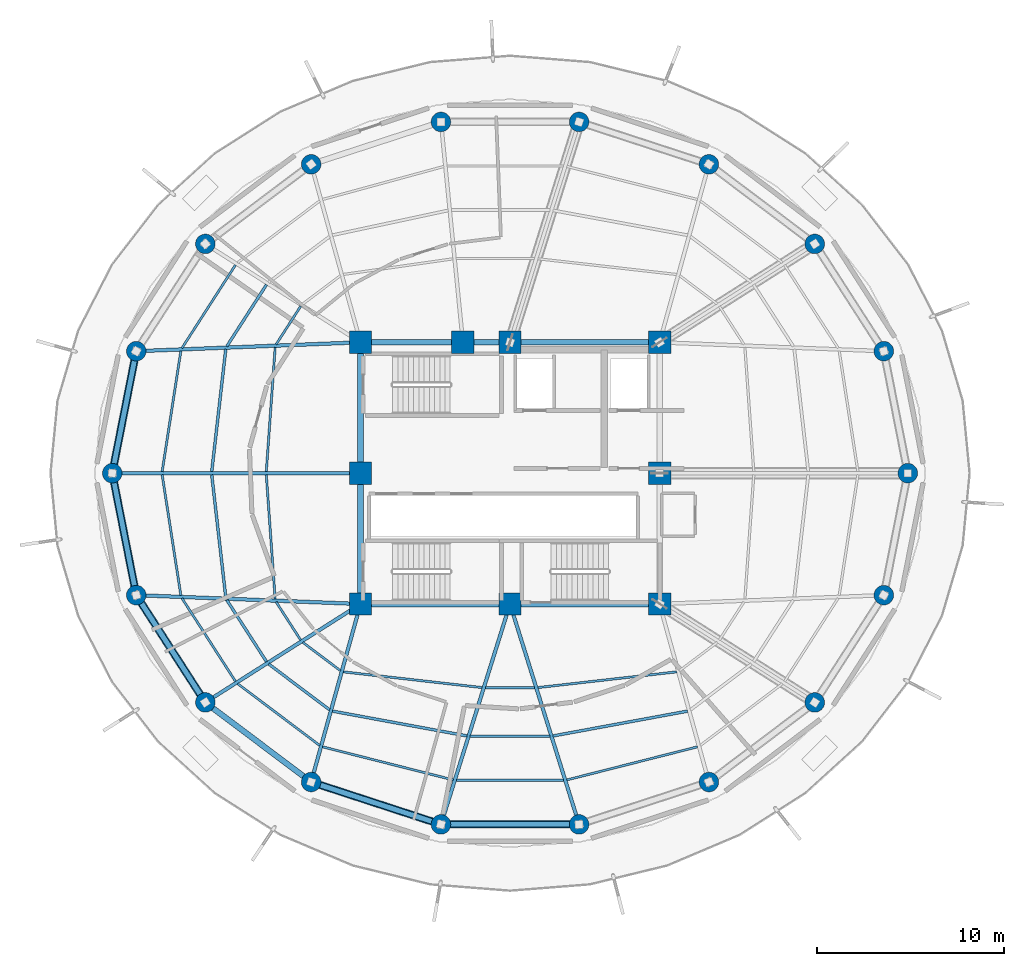
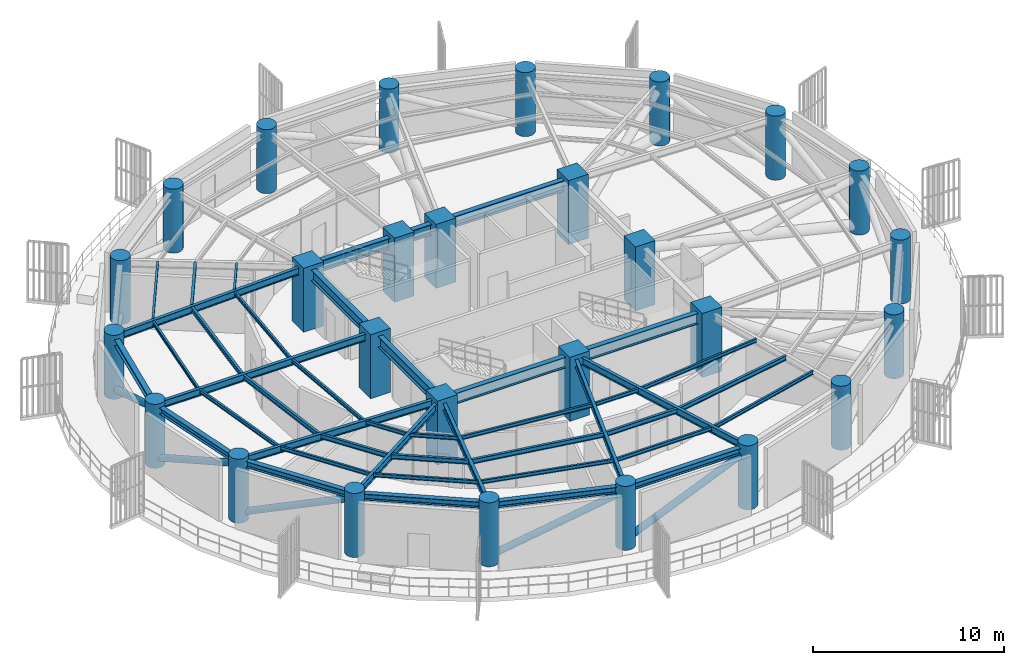
# One storey, part 1 of 10: 44 beams, 27 columns, 5 members.
"""IFC4 building model written with IfcOpenShell, lengths in metres."""

from ifc_helpers import new_model, si_unit, direction, frame, origin, origin_2d, place, context, subcontext, project, spatial, rectangle, circle, hollow_circle, i_section, extrude, material, material_profile, profile_set, type_object, element, save


model = new_model("IFC4")

# Units and contexts
model_context = context("Model", 3, precision=1e-05, world=origin(), true_north=direction((0.0, 1.0)))
body_context = subcontext(model_context, "Body", "Model", "MODEL_VIEW")
ifc_project = project(units=[si_unit("LENGTHUNIT", "METRE"), si_unit("AREAUNIT", "SQUARE_METRE"), si_unit("VOLUMEUNIT", "CUBIC_METRE"), si_unit("PLANEANGLEUNIT", "RADIAN"), si_unit("MASSUNIT", "GRAM", prefix="KILO")], contexts=[model_context])

# Site, building, storey
site_placement = place(None, origin())
site = spatial("IfcSite", under=ifc_project, at=site_placement, CompositionType="ELEMENT")
building_placement = place(site_placement, origin())
building = spatial("IfcBuilding", under=site, at=building_placement, Name="Kelanora Arch Commons", CompositionType="ELEMENT")
storey_placement = place(building_placement, frame((0.0, 0.0, 189.110107421875)))
storey = spatial("IfcBuildingStorey", under=building, at=storey_placement, Name="L48", CompositionType="ELEMENT", Elevation=189.110107421875)

# Columns
ifc_material_1 = material(Name="Concrete C50/60", Category="concrete")
ifc_material_profile_1 = material_profile(ifc_material_1, circle(Radius=0.52490234375, at=origin_2d()), Name="RCC1050")
ifc_profile_set_1 = profile_set([ifc_material_profile_1], Name="Concrete C50/60")
column_type_1 = type_object("IfcColumnType", Name="COL-PERIM-Z4", PredefinedType="COLUMN", material=ifc_profile_set_1)
for number, where, z_axis, x_axis, name in (
    (1, (95.280029296875, 58.0, 0.0), (0.0, 0.0, 1.0), (1.0, 0.0, 0.0), "Perimeter Ring Column CP-00 L48"),
    (2, (93.99658203125, 64.525634765625, 0.0), (0.0, 0.0, 1.0), (1.0, 0.0, 0.0), "Perimeter Ring Column CP-02 L48"),
    (3, (90.301513671875, 70.264404296875, 0.0), (0.0, 0.0, 1.0), (1.0, 0.0, 0.0), "Perimeter Ring Column CP-04 L48"),
    (4, (84.639892578125, 74.523681640625, 0.0), (0.0, 0.0, 1.0), (1.0, 0.0, 0.0), "Perimeter Ring Column CP-06 L48"),
    (5, (77.6953125, 76.7900390625, 0.0), (0.0, 0.0, 1.0), (1.0, 0.0, 0.0), "Perimeter Ring Column CP-08 L48"),
    (6, (70.3046875, 76.7900390625, 0.0), (0.0, 0.0, 1.0), (1.0, 0.0, 0.0), "Perimeter Ring Column CP-10 L48"),
    (7, (63.360107421875, 74.523681640625, 0.0), (0.0, 0.0, 1.0), (1.0, 0.0, 0.0), "Perimeter Ring Column CP-12 L48"),
    (8, (57.698486328125, 70.264404296875, 0.0), (0.0, 0.0, 1.0), (1.0, 0.0, 0.0), "Perimeter Ring Column CP-14 L48"),
    (9, (54.00341796875, 64.525634765625, 0.0), (0.0, 0.0, 1.0), (1.0, 0.0, 0.0), "Perimeter Ring Column CP-16 L48"),
    (10, (52.719970703125, 58.0, 0.0), (0.0, 0.0, 1.0), (1.0, 0.0, 0.0), "Perimeter Ring Column CP-18 L48"),
    (11, (54.00341796875, 51.474365234375, 0.0), (0.0, 0.0, 1.0), (1.0, 0.0, 0.0), "Perimeter Ring Column CP-20 L48"),
    (12, (57.698486328125, 45.735595703125, 0.0), (0.0, 0.0, 1.0), (1.0, 0.0, 0.0), "Perimeter Ring Column CP-22 L48"),
    (13, (63.360107421875, 41.476318359375, 0.0), (0.0, 0.0, 1.0), (1.0, 0.0, 0.0), "Perimeter Ring Column CP-24 L48"),
    (14, (70.3046875, 39.2099609375, 0.0), (0.0, 0.0, 1.0), (1.0, 0.0, 0.0), "Perimeter Ring Column CP-26 L48"),
    (15, (77.6953125, 39.2099609375, 0.0), (0.0, 0.0, 1.0), (1.0, 0.0, 0.0), "Perimeter Ring Column CP-28 L48"),
    (16, (84.639892578125, 41.476318359375, 0.0), (0.0, 0.0, 1.0), (1.0, 0.0, 0.0), "Perimeter Ring Column CP-30 L48"),
    (17, (90.301513671875, 45.735595703125, 0.0), (0.0, 0.0, 1.0), (1.0, 0.0, 0.0), "Perimeter Ring Column CP-32 L48"),
    (18, (93.99658203125, 51.474365234375, 0.0), (0.0, 0.0, 1.0), (1.0, 0.0, 0.0), "Perimeter Ring Column CP-34 L48"),
):
    element("IfcColumn", number, at=place(storey_placement, frame(where, z_axis=z_axis, x_axis=x_axis)), inside=storey, type_object=column_type_1, Name=name, PredefinedType="COLUMN", context=body_context, shape_type="SweptSolid", body=[
        extrude(circle(Radius=0.52490234375, at=origin_2d()), origin(), (0.0, 0.0, 1.0), 4.08984375),
    ])
ifc_material_2 = material(Name="Concrete C60/75", Category="concrete")
ifc_material_profile_2 = material_profile(ifc_material_2, rectangle(XDim=1.199951171875, YDim=1.199951171875, at=origin_2d()), Name="RC1200x1200")
ifc_profile_set_2 = profile_set([ifc_material_profile_2], Name="Concrete C60/75")
column_type_2 = type_object("IfcColumnType", Name="COL-PIL-MID", PredefinedType="PILASTER", material=ifc_profile_set_2)
for number, where, z_axis, x_axis, name in (
    (19, (66.0, 51.0, 0.0), (0.0, 0.0, 1.0), (1.0, 0.0, 0.0), "Core Pilaster Column CP1 L48"),
    (20, (74.0, 51.0, 0.0), (0.0, 0.0, 1.0), (1.0, 0.0, 0.0), "Core Pilaster Column CP2 L48"),
    (21, (82.0, 51.0, 0.0), (0.0, 0.0, 1.0), (1.0, 0.0, 0.0), "Core Pilaster Column CP3 L48"),
    (22, (82.0, 58.0, 0.0), (0.0, 0.0, 1.0), (1.0, 0.0, 0.0), "Core Pilaster Column CP4 L48"),
    (23, (82.0, 65.0, 0.0), (0.0, 0.0, 1.0), (1.0, 0.0, 0.0), "Core Pilaster Column CP5 L48"),
    (24, (74.0, 65.0, 0.0), (0.0, 0.0, 1.0), (1.0, 0.0, 0.0), "Core Pilaster Column CP6 L48"),
    (25, (71.47998046875, 65.0, 0.0), (0.0, 0.0, 1.0), (1.0, 0.0, 0.0), "Core Pilaster Column CP9 L48"),
    (26, (66.0, 65.0, 0.0), (0.0, 0.0, 1.0), (1.0, 0.0, 0.0), "Core Pilaster Column CP7 L48"),
    (27, (66.0, 58.0, 0.0), (0.0, 0.0, 1.0), (1.0, 0.0, 0.0), "Core Pilaster Column CP8 L48"),
):
    element("IfcColumn", number, at=place(storey_placement, frame(where, z_axis=z_axis, x_axis=x_axis)), inside=storey, type_object=column_type_2, Name=name, PredefinedType="PILASTER", context=body_context, shape_type="SweptSolid", body=[
        extrude(rectangle(XDim=1.199951171875, YDim=1.199951171875, at=origin_2d()), origin(), (0.0, 0.0, 1.0), 4.08984375),
    ])

# Beams
ifc_material_3 = material(Name="Steel S355", Category="steel")
ifc_material_profile_3 = material_profile(ifc_material_3, i_section(OverallWidth=0.300048828125, OverallDepth=0.699951171875, WebThickness=0.01708984375, FlangeThickness=0.031982421875, FilletRadius=0.027099609375, at=origin_2d()), Name="HEB700")
ifc_profile_set_3 = profile_set([ifc_material_profile_3], Name="Steel S355")
beam_type_1 = type_object("IfcBeamType", Name="BM-CORE-HDR", PredefinedType="BEAM", material=ifc_profile_set_3)
for number, where, z_axis, x_axis, name in (
    (28, (66.0, 51.0, 3.47998046875), (1.0, 0.0, 0.0), (0.0, 1.0, 0.0), "Core Header Beam 01 L48"),
    (29, (74.0, 51.0, 3.47998046875), (1.0, 0.0, 0.0), (0.0, 1.0, 0.0), "Core Header Beam 02 L48"),
    (30, (82.0, 65.0, 3.47998046875), (-1.0, 0.0, 0.0), (0.0, -1.0, 0.0), "Core Header Beam 05 L48"),
):
    element("IfcBeam", number, at=place(storey_placement, frame(where, z_axis=z_axis, x_axis=x_axis)), inside=storey, type_object=beam_type_1, Name=name, PredefinedType="BEAM", context=body_context, shape_type="SweptSolid", body=[
        extrude(i_section(OverallWidth=0.300048828125, OverallDepth=0.699951171875, WebThickness=0.01708984375, FlangeThickness=0.031982421875, FilletRadius=0.027099609375, at=origin_2d()), origin(), (0.0, 0.0, 1.0), 8.0),
    ])
beam_1_placement = place(storey_placement, frame((74.0, 65.0, 3.47998046875), z_axis=(-1.0, 0.0, 0.0), x_axis=(0.0, -1.0, 0.0)))
element("IfcBeam", 31, at=beam_1_placement, inside=storey, type_object=beam_type_1, Name="Core Header Beam 06 L48", PredefinedType="BEAM", context=body_context, shape_type="SweptSolid", body=[
    extrude(i_section(OverallWidth=0.300048828125, OverallDepth=0.699951171875, WebThickness=0.01708984375, FlangeThickness=0.031982421875, FilletRadius=0.027099609375, at=origin_2d()), origin(), (0.0, 0.0, 1.0), 2.52001953125),
])
beam_2_placement = place(storey_placement, frame((71.47998046875, 65.0, 3.47998046875), z_axis=(-1.0, 0.0, 0.0), x_axis=(0.0, -1.0, 0.0)))
element("IfcBeam", 32, at=beam_2_placement, inside=storey, type_object=beam_type_1, Name="Core Header Beam 07 L48", PredefinedType="BEAM", context=body_context, shape_type="SweptSolid", body=[
    extrude(i_section(OverallWidth=0.300048828125, OverallDepth=0.699951171875, WebThickness=0.01708984375, FlangeThickness=0.031982421875, FilletRadius=0.027099609375, at=origin_2d()), origin(), (0.0, 0.0, 1.0), 5.47998046875),
])
for number, where, z_axis, x_axis, name in (
    (33, (66.0, 65.0, 3.47998046875), (0.0, -1.0, 0.0), (1.0, 0.0, 0.0), "Core Header Beam 08 L48"),
    (34, (66.0, 58.0, 3.47998046875), (0.0, -1.0, 0.0), (1.0, 0.0, 0.0), "Core Header Beam 09 L48"),
):
    element("IfcBeam", number, at=place(storey_placement, frame(where, z_axis=z_axis, x_axis=x_axis)), inside=storey, type_object=beam_type_1, Name=name, PredefinedType="BEAM", context=body_context, shape_type="SweptSolid", body=[
        extrude(i_section(OverallWidth=0.300048828125, OverallDepth=0.699951171875, WebThickness=0.01708984375, FlangeThickness=0.031982421875, FilletRadius=0.027099609375, at=origin_2d()), origin(), (0.0, 0.0, 1.0), 7.0),
    ])
ifc_material_profile_4 = material_profile(ifc_material_3, i_section(OverallWidth=0.14990234375, OverallDepth=0.300048828125, WebThickness=0.007080078125, FlangeThickness=0.0107421875, FilletRadius=0.014892578125, at=origin_2d()), Name="IPE300")
ifc_profile_set_4 = profile_set([ifc_material_profile_4], Name="Steel S355")
beam_type_2 = type_object("IfcBeamType", Name="BM-JST-01", PredefinedType="JOIST", material=ifc_profile_set_4)
beam_3_placement = place(storey_placement, frame((60.97314453125, 68.087158203125, 3.679931640625), z_axis=(-0.541411265892, -0.840757896879, 0.0), x_axis=(0.840757896879, -0.541411265892, 0.0)))
element("IfcBeam", 35, at=beam_3_placement, inside=storey, type_object=beam_type_2, Name="Secondary Chord Joist BJB-14 L48", PredefinedType="JOIST", context=body_context, shape_type="SweptSolid", body=[
    extrude(i_section(OverallWidth=0.14990234375, OverallDepth=0.300048828125, WebThickness=0.007080078125, FlangeThickness=0.0107421875, FilletRadius=0.014892578125, at=origin_2d()), origin(), (0.0, 0.0, 1.0), 3.92529296875),
])
for number, where, z_axis, x_axis, name in (
    (36, (58.792236328125, 64.631103515625, 3.679931640625), (-0.113891408177, -0.993493204377, 0.0), (0.993493204377, -0.113891408177, 0.0), "Secondary Chord Joist BJB-16 L48"),
    (37, (58.041748046875, 57.91552734375, 3.679931640625), (0.113891408177, -0.993493204377, 0.0), (0.993493204377, 0.113891408177, 0.0), "Secondary Chord Joist BJB-18 L48"),
):
    element("IfcBeam", number, at=place(storey_placement, frame(where, z_axis=z_axis, x_axis=x_axis)), inside=storey, type_object=beam_type_2, Name=name, PredefinedType="JOIST", context=body_context, shape_type="SweptSolid", body=[
        extrude(i_section(OverallWidth=0.14990234375, OverallDepth=0.300048828125, WebThickness=0.007080078125, FlangeThickness=0.0107421875, FilletRadius=0.014892578125, at=origin_2d()), origin(), (0.0, 0.0, 1.0), 6.589599609375),
    ])
beam_4_placement = place(storey_placement, frame((58.847900390625, 51.213134765625, 3.679931640625), z_axis=(0.541411265892, -0.840757896879, 0.0), x_axis=(0.840757896879, 0.541411265892, 0.0)))
element("IfcBeam", 38, at=beam_4_placement, inside=storey, type_object=beam_type_2, Name="Secondary Chord Joist BJB-20 L48", PredefinedType="JOIST", context=body_context, shape_type="SweptSolid", body=[
    extrude(i_section(OverallWidth=0.14990234375, OverallDepth=0.300048828125, WebThickness=0.007080078125, FlangeThickness=0.0107421875, FilletRadius=0.014892578125, at=origin_2d()), origin(), (0.0, 0.0, 1.0), 3.92529296875),
])
beam_5_placement = place(storey_placement, frame((61.087158203125, 47.790283203125, 3.679931640625), z_axis=(0.799101708656, -0.601195857624, 0.0), x_axis=(0.601195857624, 0.799101708656, 0.0)))
element("IfcBeam", 39, at=beam_5_placement, inside=storey, type_object=beam_type_2, Name="Secondary Chord Joist BJB-22 L48", PredefinedType="JOIST", context=body_context, shape_type="SweptSolid", body=[
    extrude(i_section(OverallWidth=0.14990234375, OverallDepth=0.300048828125, WebThickness=0.007080078125, FlangeThickness=0.0107421875, FilletRadius=0.014892578125, at=origin_2d()), origin(), (0.0, 0.0, 1.0), 4.080810546875),
])
beam_6_placement = place(storey_placement, frame((64.49951171875, 45.270263671875, 3.679931640625), z_axis=(0.983389964671, -0.181505309519, 0.0), x_axis=(0.181505309519, 0.983389964671, 0.0)))
element("IfcBeam", 40, at=beam_6_placement, inside=storey, type_object=beam_type_2, Name="Secondary Chord Joist BJB-24 L48", PredefinedType="JOIST", context=body_context, shape_type="SweptSolid", body=[
    extrude(i_section(OverallWidth=0.14990234375, OverallDepth=0.300048828125, WebThickness=0.007080078125, FlangeThickness=0.0107421875, FilletRadius=0.014892578125, at=origin_2d()), origin(), (0.0, 0.0, 1.0), 7.3212890625),
])
beam_7_placement = place(storey_placement, frame((71.867919921875, 43.92578125, 3.679931640625), z_axis=(1.0, 0.0, 0.0), x_axis=(0.0, 1.0, 0.0)))
element("IfcBeam", 41, at=beam_7_placement, inside=storey, type_object=beam_type_2, Name="Secondary Chord Joist BJB-26 L48", PredefinedType="JOIST", context=body_context, shape_type="SweptSolid", body=[
    extrude(i_section(OverallWidth=0.14990234375, OverallDepth=0.300048828125, WebThickness=0.007080078125, FlangeThickness=0.0107421875, FilletRadius=0.014892578125, at=origin_2d()), origin(), (0.0, 0.0, 1.0), 4.26416015625),
])
beam_8_placement = place(storey_placement, frame((76.30078125, 43.94140625, 3.679931640625), z_axis=(0.983389964671, 0.181505309519, 0.0), x_axis=(-0.181505309519, 0.983389964671, 0.0)))
element("IfcBeam", 42, at=beam_8_placement, inside=storey, type_object=beam_type_2, Name="Secondary Chord Joist BJB-28 L48", PredefinedType="JOIST", context=body_context, shape_type="SweptSolid", body=[
    extrude(i_section(OverallWidth=0.14990234375, OverallDepth=0.300048828125, WebThickness=0.007080078125, FlangeThickness=0.0107421875, FilletRadius=0.014892578125, at=origin_2d()), origin(), (0.0, 0.0, 1.0), 7.3212890625),
])
ifc_material_profile_5 = material_profile(ifc_material_3, i_section(OverallWidth=0.1201171875, OverallDepth=0.239990234375, WebThickness=0.006103515625, FlangeThickness=0.009765625, FilletRadius=0.014892578125, at=origin_2d()), Name="IPE240")
ifc_profile_set_5 = profile_set([ifc_material_profile_5], Name="Steel S355")
beam_type_3 = type_object("IfcBeamType", Name="BM-JST-02", PredefinedType="JOIST", material=ifc_profile_set_5)
beam_9_placement = place(storey_placement, frame((62.79931640625, 66.928955078125, 3.7099609375), z_axis=(-0.541332763503, -0.840808443796, 0.0), x_axis=(0.840808443796, -0.541332763503, 0.0)))
element("IfcBeam", 43, at=beam_9_placement, inside=storey, type_object=beam_type_3, Name="Secondary Chord Joist BJA-14 L48", PredefinedType="JOIST", context=body_context, shape_type="SweptSolid", body=[
    extrude(i_section(OverallWidth=0.1201171875, OverallDepth=0.239990234375, WebThickness=0.006103515625, FlangeThickness=0.009765625, FilletRadius=0.014892578125, at=origin_2d()), origin(), (0.0, 0.0, 1.0), 2.423583984375),
])
beam_10_placement = place(storey_placement, frame((59.31298828125, 69.14013671875, 3.7099609375), z_axis=(-0.541382492679, -0.840776424872, 0.0), x_axis=(0.840776424872, -0.541382492679, 0.0)))
element("IfcBeam", 44, at=beam_10_placement, inside=storey, type_object=beam_type_3, Name="Secondary Chord Joist BJC-14 L48", PredefinedType="JOIST", context=body_context, shape_type="SweptSolid", body=[
    extrude(i_section(OverallWidth=0.1201171875, OverallDepth=0.239990234375, WebThickness=0.006103515625, FlangeThickness=0.009765625, FilletRadius=0.014892578125, at=origin_2d()), origin(), (0.0, 0.0, 1.0), 5.29052734375),
])
beam_11_placement = place(storey_placement, frame((61.435302734375, 64.735107421875, 3.7099609375), z_axis=(-0.07133032136, -0.997452748382, 0.0), x_axis=(0.997452748382, -0.07133032136, 0.0)))
element("IfcBeam", 45, at=beam_11_placement, inside=storey, type_object=beam_type_3, Name="Secondary Chord Joist BJA-16 L48", PredefinedType="JOIST", context=body_context, shape_type="SweptSolid", body=[
    extrude(i_section(OverallWidth=0.1201171875, OverallDepth=0.239990234375, WebThickness=0.006103515625, FlangeThickness=0.009765625, FilletRadius=0.014892578125, at=origin_2d()), origin(), (0.0, 0.0, 1.0), 6.66748046875),
])
beam_12_placement = place(storey_placement, frame((56.3896484375, 64.53662109375, 3.7099609375), z_axis=(-0.153256756152, -0.988186402808, 0.0), x_axis=(0.988186402808, -0.153256756152, 0.0)))
element("IfcBeam", 46, at=beam_12_placement, inside=storey, type_object=beam_type_3, Name="Secondary Chord Joist BJC-16 L48", PredefinedType="JOIST", context=body_context, shape_type="SweptSolid", body=[
    extrude(i_section(OverallWidth=0.1201171875, OverallDepth=0.239990234375, WebThickness=0.006103515625, FlangeThickness=0.009765625, FilletRadius=0.014892578125, at=origin_2d()), origin(), (0.0, 0.0, 1.0), 6.52978515625),
])
beam_13_placement = place(storey_placement, frame((60.959716796875, 57.915283203125, 3.7099609375), z_axis=(0.07133032136, -0.997452748382, 0.0), x_axis=(0.997452748382, 0.07133032136, 0.0)))
element("IfcBeam", 47, at=beam_13_placement, inside=storey, type_object=beam_type_3, Name="Secondary Chord Joist BJA-18 L48", PredefinedType="JOIST", context=body_context, shape_type="SweptSolid", body=[
    extrude(i_section(OverallWidth=0.1201171875, OverallDepth=0.239990234375, WebThickness=0.006103515625, FlangeThickness=0.009765625, FilletRadius=0.014892578125, at=origin_2d()), origin(), (0.0, 0.0, 1.0), 6.66748046875),
])
beam_14_placement = place(storey_placement, frame((55.388916015625, 57.916015625, 3.7099609375), z_axis=(0.153256756152, -0.988186402808, 0.0), x_axis=(0.988186402808, 0.153256756152, 0.0)))
element("IfcBeam", 48, at=beam_14_placement, inside=storey, type_object=beam_type_3, Name="Secondary Chord Joist BJC-18 L48", PredefinedType="JOIST", context=body_context, shape_type="SweptSolid", body=[
    extrude(i_section(OverallWidth=0.1201171875, OverallDepth=0.239990234375, WebThickness=0.006103515625, FlangeThickness=0.009765625, FilletRadius=0.014892578125, at=origin_2d()), origin(), (0.0, 0.0, 1.0), 6.52978515625),
])
beam_15_placement = place(storey_placement, frame((61.4873046875, 51.10888671875, 3.7099609375), z_axis=(0.541332763503, -0.840808443796, 0.0), x_axis=(0.840808443796, 0.541332763503, 0.0)))
element("IfcBeam", 49, at=beam_15_placement, inside=storey, type_object=beam_type_3, Name="Secondary Chord Joist BJA-20 L48", PredefinedType="JOIST", context=body_context, shape_type="SweptSolid", body=[
    extrude(i_section(OverallWidth=0.1201171875, OverallDepth=0.239990234375, WebThickness=0.006103515625, FlangeThickness=0.009765625, FilletRadius=0.014892578125, at=origin_2d()), origin(), (0.0, 0.0, 1.0), 2.423583984375),
])
beam_16_placement = place(storey_placement, frame((56.44873046875, 51.30810546875, 3.7099609375), z_axis=(0.541382492679, -0.840776424872, 0.0), x_axis=(0.840776424872, 0.541382492679, 0.0)))
element("IfcBeam", 50, at=beam_16_placement, inside=storey, type_object=beam_type_3, Name="Secondary Chord Joist BJC-20 L48", PredefinedType="JOIST", context=body_context, shape_type="SweptSolid", body=[
    extrude(i_section(OverallWidth=0.1201171875, OverallDepth=0.239990234375, WebThickness=0.006103515625, FlangeThickness=0.009765625, FilletRadius=0.014892578125, at=origin_2d()), origin(), (0.0, 0.0, 1.0), 5.29052734375),
])
beam_17_placement = place(storey_placement, frame((62.913330078125, 48.948486328125, 3.7099609375), z_axis=(0.79911638933, -0.601176343766, 0.0), x_axis=(0.601176343766, 0.79911638933, 0.0)))
element("IfcBeam", 51, at=beam_17_placement, inside=storey, type_object=beam_type_3, Name="Secondary Chord Joist BJA-22 L48", PredefinedType="JOIST", context=body_context, shape_type="SweptSolid", body=[
    extrude(i_section(OverallWidth=0.1201171875, OverallDepth=0.239990234375, WebThickness=0.006103515625, FlangeThickness=0.009765625, FilletRadius=0.014892578125, at=origin_2d()), origin(), (0.0, 0.0, 1.0), 2.522216796875),
])
beam_18_placement = place(storey_placement, frame((59.4267578125, 46.7373046875, 3.7099609375), z_axis=(0.799109197935, -0.601185902842, 0.0), x_axis=(0.601185902842, 0.799109197935, 0.0)))
element("IfcBeam", 52, at=beam_18_placement, inside=storey, type_object=beam_type_3, Name="Secondary Chord Joist BJC-22 L48", PredefinedType="JOIST", context=body_context, shape_type="SweptSolid", body=[
    extrude(i_section(OverallWidth=0.1201171875, OverallDepth=0.239990234375, WebThickness=0.006103515625, FlangeThickness=0.009765625, FilletRadius=0.014892578125, at=origin_2d()), origin(), (0.0, 0.0, 1.0), 5.497802734375),
])
beam_19_placement = place(storey_placement, frame((65.081298828125, 47.371337890625, 3.7099609375), z_axis=(0.993639672263, -0.11260640171, 0.0), x_axis=(0.11260640171, 0.993639672263, 0.0)))
element("IfcBeam", 53, at=beam_19_placement, inside=storey, type_object=beam_type_3, Name="Secondary Chord Joist BJA-24 L48", PredefinedType="JOIST", context=body_context, shape_type="SweptSolid", body=[
    extrude(i_section(OverallWidth=0.1201171875, OverallDepth=0.239990234375, WebThickness=0.006103515625, FlangeThickness=0.009765625, FilletRadius=0.014892578125, at=origin_2d()), origin(), (0.0, 0.0, 1.0), 7.477783203125),
])
beam_20_placement = place(storey_placement, frame((63.970458984375, 43.360107421875, 3.7099609375), z_axis=(0.969370989998, -0.245601066263, 0.0), x_axis=(0.245601066263, 0.969370989998, 0.0)))
element("IfcBeam", 54, at=beam_20_placement, inside=storey, type_object=beam_type_3, Name="Secondary Chord Joist BJC-24 L48", PredefinedType="JOIST", context=body_context, shape_type="SweptSolid", body=[
    extrude(i_section(OverallWidth=0.1201171875, OverallDepth=0.239990234375, WebThickness=0.006103515625, FlangeThickness=0.009765625, FilletRadius=0.014892578125, at=origin_2d()), origin(), (0.0, 0.0, 1.0), 7.2119140625),
])
beam_21_placement = place(storey_placement, frame((72.680908203125, 46.519775390625, 3.7099609375), z_axis=(1.0, 0.0, 0.0), x_axis=(0.0, 1.0, 0.0)))
element("IfcBeam", 55, at=beam_21_placement, inside=storey, type_object=beam_type_3, Name="Secondary Chord Joist BJA-26 L48", PredefinedType="JOIST", context=body_context, shape_type="SweptSolid", body=[
    extrude(i_section(OverallWidth=0.1201171875, OverallDepth=0.239990234375, WebThickness=0.006103515625, FlangeThickness=0.009765625, FilletRadius=0.014892578125, at=origin_2d()), origin(), (0.0, 0.0, 1.0), 2.63818359375),
])
beam_22_placement = place(storey_placement, frame((71.12890625, 41.56787109375, 3.7099609375), z_axis=(1.0, 0.0, 0.0), x_axis=(0.0, 1.0, 0.0)))
element("IfcBeam", 56, at=beam_22_placement, inside=storey, type_object=beam_type_3, Name="Secondary Chord Joist BJC-26 L48", PredefinedType="JOIST", context=body_context, shape_type="SweptSolid", body=[
    extrude(i_section(OverallWidth=0.1201171875, OverallDepth=0.239990234375, WebThickness=0.006103515625, FlangeThickness=0.009765625, FilletRadius=0.014892578125, at=origin_2d()), origin(), (0.0, 0.0, 1.0), 5.7421875),
])
beam_23_placement = place(storey_placement, frame((75.488525390625, 46.529296875, 3.7099609375), z_axis=(0.993639672263, 0.11260640171, 0.0), x_axis=(-0.11260640171, 0.993639672263, 0.0)))
element("IfcBeam", 57, at=beam_23_placement, inside=storey, type_object=beam_type_3, Name="Secondary Chord Joist BJA-28 L48", PredefinedType="JOIST", context=body_context, shape_type="SweptSolid", body=[
    extrude(i_section(OverallWidth=0.1201171875, OverallDepth=0.239990234375, WebThickness=0.006103515625, FlangeThickness=0.009765625, FilletRadius=0.014892578125, at=origin_2d()), origin(), (0.0, 0.0, 1.0), 7.477783203125),
])
beam_24_placement = place(storey_placement, frame((77.03857421875, 41.5888671875, 3.7099609375), z_axis=(0.969370989998, 0.245601066263, 0.0), x_axis=(-0.245601066263, 0.969370989998, 0.0)))
element("IfcBeam", 58, at=beam_24_placement, inside=storey, type_object=beam_type_3, Name="Secondary Chord Joist BJC-28 L48", PredefinedType="JOIST", context=body_context, shape_type="SweptSolid", body=[
    extrude(i_section(OverallWidth=0.1201171875, OverallDepth=0.239990234375, WebThickness=0.006103515625, FlangeThickness=0.009765625, FilletRadius=0.014892578125, at=origin_2d()), origin(), (0.0, 0.0, 1.0), 7.2119140625),
])
ifc_material_profile_6 = material_profile(ifc_material_3, i_section(OverallWidth=0.18994140625, OverallDepth=0.449951171875, WebThickness=0.009521484375, FlangeThickness=0.0146484375, FilletRadius=0.02099609375, at=origin_2d()), Name="IPE450")
ifc_profile_set_6 = profile_set([ifc_material_profile_6], Name="Steel S355")
beam_type_4 = type_object("IfcBeamType", Name="BM-RAD-Z4", PredefinedType="BEAM", material=ifc_profile_set_6)
beam_25_placement = place(storey_placement, frame((66.0, 65.0, 3.60498046875), z_axis=(-0.999219142585, -0.03951082246, 0.0), x_axis=(0.03951082246, -0.999219142585, 0.0)))
element("IfcBeam", 59, at=beam_25_placement, inside=storey, type_object=beam_type_4, Name="Radial Floor Girder BR-16 L48", PredefinedType="BEAM", context=body_context, shape_type="SweptSolid", body=[
    extrude(i_section(OverallWidth=0.18994140625, OverallDepth=0.449951171875, WebThickness=0.009521484375, FlangeThickness=0.0146484375, FilletRadius=0.02099609375, at=origin_2d()), origin(), (0.0, 0.0, 1.0), 12.005859375),
])
beam_26_placement = place(storey_placement, frame((66.0, 58.0, 3.60498046875), z_axis=(-1.0, 0.0, 0.0), x_axis=(0.0, -1.0, 0.0)))
element("IfcBeam", 60, at=beam_26_placement, inside=storey, type_object=beam_type_4, Name="Radial Floor Girder BR-18 L48", PredefinedType="BEAM", context=body_context, shape_type="SweptSolid", body=[
    extrude(i_section(OverallWidth=0.18994140625, OverallDepth=0.449951171875, WebThickness=0.009521484375, FlangeThickness=0.0146484375, FilletRadius=0.02099609375, at=origin_2d()), origin(), (0.0, 0.0, 1.0), 13.280029296875),
])
beam_27_placement = place(storey_placement, frame((66.0, 51.0, 3.60498046875), z_axis=(-0.999219142585, 0.03951082246, 0.0), x_axis=(-0.03951082246, -0.999219142585, 0.0)))
element("IfcBeam", 61, at=beam_27_placement, inside=storey, type_object=beam_type_4, Name="Radial Floor Girder BR-20 L48", PredefinedType="BEAM", context=body_context, shape_type="SweptSolid", body=[
    extrude(i_section(OverallWidth=0.18994140625, OverallDepth=0.449951171875, WebThickness=0.009521484375, FlangeThickness=0.0146484375, FilletRadius=0.02099609375, at=origin_2d()), origin(), (0.0, 0.0, 1.0), 12.005859375),
])
beam_28_placement = place(storey_placement, frame((66.0, 51.0, 3.60498046875), z_axis=(-0.844507208607, -0.535544185489, 0.0), x_axis=(0.535544185489, -0.844507208607, 0.0)))
element("IfcBeam", 62, at=beam_28_placement, inside=storey, type_object=beam_type_4, Name="Radial Floor Girder BR-22 L48", PredefinedType="BEAM", context=body_context, shape_type="SweptSolid", body=[
    extrude(i_section(OverallWidth=0.18994140625, OverallDepth=0.449951171875, WebThickness=0.009521484375, FlangeThickness=0.0146484375, FilletRadius=0.02099609375, at=origin_2d()), origin(), (0.0, 0.0, 1.0), 9.830078125),
])
beam_29_placement = place(storey_placement, frame((66.0, 51.0, 3.60498046875), z_axis=(-0.267120164296, -0.963663228429, 0.0), x_axis=(0.963663228429, -0.267120164296, 0.0)))
element("IfcBeam", 63, at=beam_29_placement, inside=storey, type_object=beam_type_4, Name="Radial Floor Girder BR-24 L48", PredefinedType="BEAM", context=body_context, shape_type="SweptSolid", body=[
    extrude(i_section(OverallWidth=0.18994140625, OverallDepth=0.449951171875, WebThickness=0.009521484375, FlangeThickness=0.0146484375, FilletRadius=0.02099609375, at=origin_2d()), origin(), (0.0, 0.0, 1.0), 9.8828125),
])
for number, where, z_axis, x_axis, name in (
    (64, (74.0, 51.0, 3.60498046875), (-0.299080457492, -0.954227897279, 0.0), (0.954227897279, -0.299080457492, 0.0), "Radial Floor Girder BR-26 L48"),
    (65, (74.0, 51.0, 3.60498046875), (0.299080457492, -0.954227897279, 0.0), (0.954227897279, 0.299080457492, 0.0), "Radial Floor Girder BR-28 L48"),
):
    element("IfcBeam", number, at=place(storey_placement, frame(where, z_axis=z_axis, x_axis=x_axis)), inside=storey, type_object=beam_type_4, Name=name, PredefinedType="BEAM", context=body_context, shape_type="SweptSolid", body=[
        extrude(i_section(OverallWidth=0.18994140625, OverallDepth=0.449951171875, WebThickness=0.009521484375, FlangeThickness=0.0146484375, FilletRadius=0.02099609375, at=origin_2d()), origin(), (0.0, 0.0, 1.0), 12.35546875),
    ])
ifc_material_profile_7 = material_profile(ifc_material_3, i_section(OverallWidth=0.300048828125, OverallDepth=0.39990234375, WebThickness=0.013427734375, FlangeThickness=0.02392578125, FilletRadius=0.027099609375, at=origin_2d()), Name="HEB400")
ifc_profile_set_7 = profile_set([ifc_material_profile_7], Name="Steel S355")
beam_type_5 = type_object("IfcBeamType", Name="BM-SPN-Z4", PredefinedType="SPANDREL", material=ifc_profile_set_7)
for number, where, z_axis, x_axis, name in (
    (66, (54.00341796875, 64.525634765625, 3.6298828125), (-0.192980724826, -0.981202547819, 0.0), (0.981202547819, -0.192980724826, 0.0), "Perimeter Spandrel Beam BS-16 L48"),
    (67, (52.719970703125, 58.0, 3.6298828125), (0.192980724826, -0.981202547819, 0.0), (0.981202547819, 0.192980724826, 0.0), "Perimeter Spandrel Beam BS-18 L48"),
):
    element("IfcBeam", number, at=place(storey_placement, frame(where, z_axis=z_axis, x_axis=x_axis)), inside=storey, type_object=beam_type_5, Name=name, PredefinedType="SPANDREL", context=body_context, shape_type="SweptSolid", body=[
        extrude(i_section(OverallWidth=0.300048828125, OverallDepth=0.39990234375, WebThickness=0.013427734375, FlangeThickness=0.02392578125, FilletRadius=0.027099609375, at=origin_2d()), origin(), (0.0, 0.0, 1.0), 6.650634765625),
    ])
beam_30_placement = place(storey_placement, frame((54.00341796875, 51.474365234375, 3.6298828125), z_axis=(0.541364878868, -0.840787766281, 0.0), x_axis=(0.840787766281, 0.541364878868, 0.0)))
element("IfcBeam", 68, at=beam_30_placement, inside=storey, type_object=beam_type_5, Name="Perimeter Spandrel Beam BS-20 L48", PredefinedType="SPANDREL", context=body_context, shape_type="SweptSolid", body=[
    extrude(i_section(OverallWidth=0.300048828125, OverallDepth=0.39990234375, WebThickness=0.013427734375, FlangeThickness=0.02392578125, FilletRadius=0.027099609375, at=origin_2d()), origin(), (0.0, 0.0, 1.0), 6.825439453125),
])
beam_31_placement = place(storey_placement, frame((57.698486328125, 45.735595703125, 3.6298828125), z_axis=(0.799114211715, -0.60117923836, 0.0), x_axis=(0.60117923836, 0.799114211715, 0.0)))
element("IfcBeam", 69, at=beam_31_placement, inside=storey, type_object=beam_type_5, Name="Perimeter Spandrel Beam BS-22 L48", PredefinedType="SPANDREL", context=body_context, shape_type="SweptSolid", body=[
    extrude(i_section(OverallWidth=0.300048828125, OverallDepth=0.39990234375, WebThickness=0.013427734375, FlangeThickness=0.02392578125, FilletRadius=0.027099609375, at=origin_2d()), origin(), (0.0, 0.0, 1.0), 7.0849609375),
])
beam_32_placement = place(storey_placement, frame((63.360107421875, 41.476318359375, 3.6298828125), z_axis=(0.950656361143, -0.310245842872, 0.0), x_axis=(0.310245842872, 0.950656361143, 0.0)))
element("IfcBeam", 70, at=beam_32_placement, inside=storey, type_object=beam_type_5, Name="Perimeter Spandrel Beam BS-24 L48", PredefinedType="SPANDREL", context=body_context, shape_type="SweptSolid", body=[
    extrude(i_section(OverallWidth=0.300048828125, OverallDepth=0.39990234375, WebThickness=0.013427734375, FlangeThickness=0.02392578125, FilletRadius=0.027099609375, at=origin_2d()), origin(), (0.0, 0.0, 1.0), 7.304931640625),
])
beam_33_placement = place(storey_placement, frame((70.3046875, 39.2099609375, 3.6298828125), z_axis=(1.0, 0.0, 0.0), x_axis=(0.0, 1.0, 0.0)))
element("IfcBeam", 71, at=beam_33_placement, inside=storey, type_object=beam_type_5, Name="Perimeter Spandrel Beam BS-26 L48", PredefinedType="SPANDREL", context=body_context, shape_type="SweptSolid", body=[
    extrude(i_section(OverallWidth=0.300048828125, OverallDepth=0.39990234375, WebThickness=0.013427734375, FlangeThickness=0.02392578125, FilletRadius=0.027099609375, at=origin_2d()), origin(), (0.0, 0.0, 1.0), 7.390625),
])

# Members
ifc_material_profile_8 = material_profile(ifc_material_3, hollow_circle(Radius=0.203125, WallThickness=0.02001953125, at=origin_2d()), Name="CHS406.4x20")
ifc_profile_set_8 = profile_set([ifc_material_profile_8], Name="Steel S355")
member_type = type_object("IfcMemberType", Name="MEM-BELT-DIAG", PredefinedType="BRACE", material=ifc_profile_set_8)
for number, where, z_axis, x_axis, name in (
    (72, (54.00341796875, 64.525634765625, 0.349853515625), (-0.174608428839, -0.8877893655, 0.425842622436), (0.981202547819, -0.192980724826, 0.0), "Belt Truss Diagonal MB-16 L48"),
    (73, (52.719970703125, 58.0, 0.349853515625), (0.174608428839, -0.8877893655, 0.425842622436), (0.981202547819, 0.192980724826, 0.0), "Belt Truss Diagonal MB-18 L48"),
):
    element("IfcMember", number, at=place(storey_placement, frame(where, z_axis=z_axis, x_axis=x_axis)), inside=storey, type_object=member_type, Name=name, PredefinedType="BRACE", context=body_context, shape_type="SweptSolid", body=[
        extrude(hollow_circle(Radius=0.203125, WallThickness=0.02001953125, at=origin_2d()), origin(), (0.0, 0.0, 1.0), 7.350341796875),
    ])
member_1_placement = place(storey_placement, frame((54.00341796875, 51.474365234375, 0.349853515625), z_axis=(0.492086938598, -0.764254745866, 0.416851446301), x_axis=(0.840787766281, 0.541364878868, 0.0)))
element("IfcMember", 74, at=member_1_placement, inside=storey, type_object=member_type, Name="Belt Truss Diagonal MB-20 L48", PredefinedType="BRACE", context=body_context, shape_type="SweptSolid", body=[
    extrude(hollow_circle(Radius=0.203125, WallThickness=0.02001953125, at=origin_2d()), origin(), (0.0, 0.0, 1.0), 7.509033203125),
])
member_2_placement = place(storey_placement, frame((63.360107421875, 41.476318359375, 0.349853515625), z_axis=(0.873817195322, -0.285169450665, 0.393855168262), x_axis=(0.310245842872, 0.950656361143, 0.0)))
element("IfcMember", 75, at=member_2_placement, inside=storey, type_object=member_type, Name="Belt Truss Diagonal MB-24 L48", PredefinedType="BRACE", context=body_context, shape_type="SweptSolid", body=[
    extrude(hollow_circle(Radius=0.203125, WallThickness=0.02001953125, at=origin_2d()), origin(), (0.0, 0.0, 1.0), 7.947509765625),
])
member_3_placement = place(storey_placement, frame((70.3046875, 39.2099609375, 0.349853515625), z_axis=(0.920818566361, 0.0, 0.389991240728), x_axis=(0.0, 1.0, 0.0)))
element("IfcMember", 76, at=member_3_placement, inside=storey, type_object=member_type, Name="Belt Truss Diagonal MB-26 L48", PredefinedType="BRACE", context=body_context, shape_type="SweptSolid", body=[
    extrude(hollow_circle(Radius=0.203125, WallThickness=0.02001953125, at=origin_2d()), origin(), (0.0, 0.0, 1.0), 8.026123046875),
])

save(model, "model.ifc")
